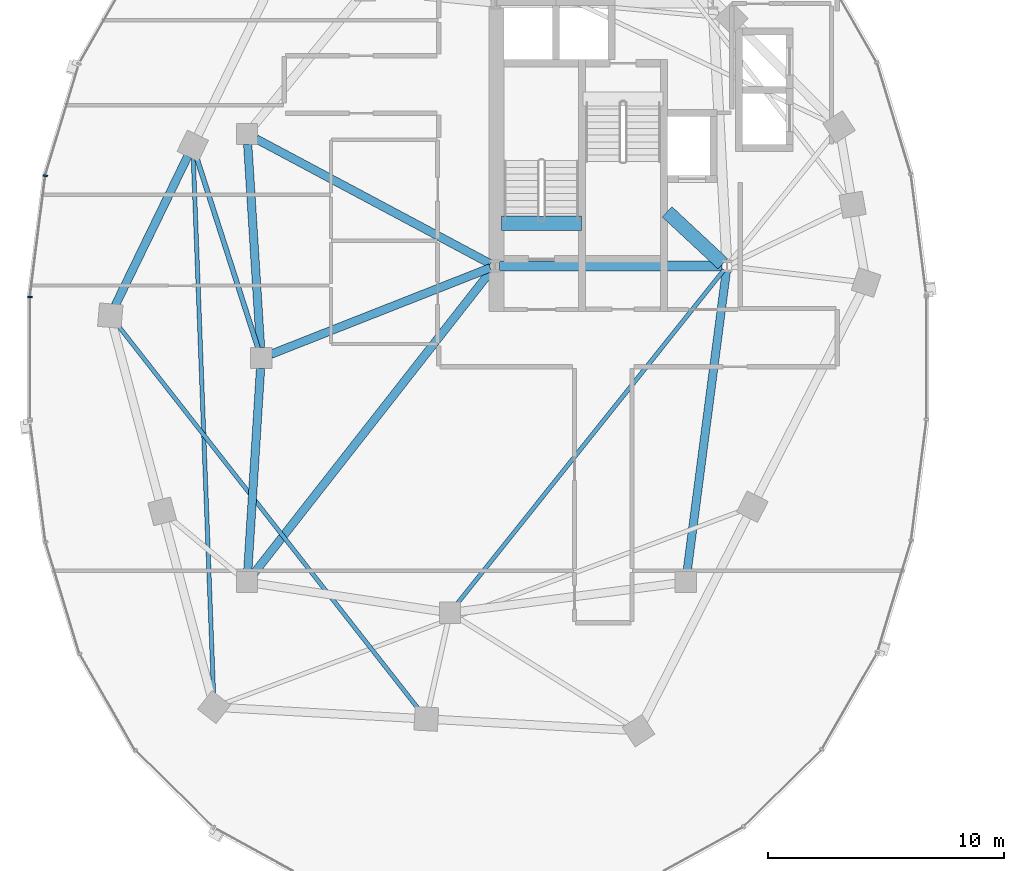
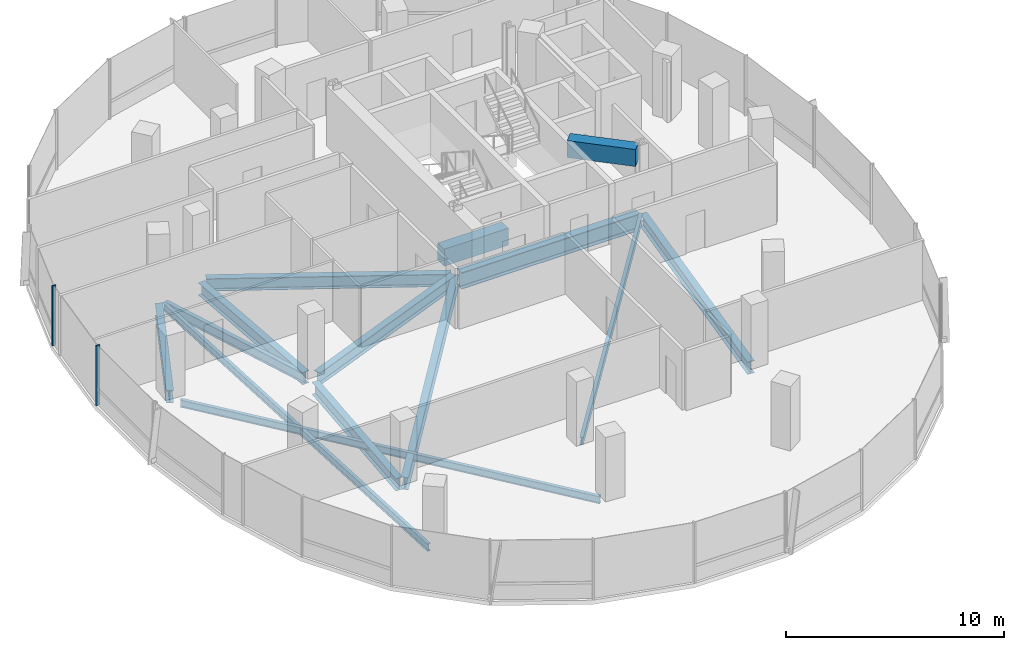
# One storey, part 3 of 22: 14 beams, 2 members, 1 element without a shape of its own.
"""IFC4 building model written with IfcOpenShell, lengths in metres."""

from ifc_helpers import new_model, si_unit, direction, frame, origin, origin_2d, place, context, subcontext, project, spatial, rectangle, i_section, extrude, material, material_profile, profile_set, type_object, element, aggregate, save


model = new_model("IFC4")

# Units and contexts
model_context = context("Model", 3, precision=1e-05, world=origin(), true_north=direction((0.0, 1.0)))
body_context = subcontext(model_context, "Body", "Model", "MODEL_VIEW")
ifc_project = project(units=[si_unit("LENGTHUNIT", "METRE"), si_unit("AREAUNIT", "SQUARE_METRE"), si_unit("VOLUMEUNIT", "CUBIC_METRE"), si_unit("PLANEANGLEUNIT", "RADIAN"), si_unit("MASSUNIT", "GRAM", prefix="KILO"), si_unit("THERMODYNAMICTEMPERATUREUNIT", "KELVIN"), si_unit("POWERUNIT", "WATT")], contexts=[model_context])

# Site, building, storey
site_placement = place(None, origin())
site = spatial("IfcSite", under=ifc_project, at=site_placement, CompositionType="ELEMENT")
building_placement = place(site_placement, origin())
building = spatial("IfcBuilding", under=site, at=building_placement, Name="Cundina Bronze Exchange", CompositionType="ELEMENT")
storey_placement = place(building_placement, frame((0.0, 0.0, 147.60009765625)))
storey = spatial("IfcBuildingStorey", under=building, at=storey_placement, Name="L38", CompositionType="ELEMENT", Elevation=147.60009765625)

# Beams
ifc_material_1 = material(Name="Concrete C60/75", Category="concrete")
ifc_material_profile_1 = material_profile(ifc_material_1, rectangle(XDim=0.60009765625, YDim=0.949951171875, at=origin_2d()), Name="RC600X950", Category="concrete")
ifc_profile_set_1 = profile_set([ifc_material_profile_1], Name="Concrete C60/75")
beam_type_1 = type_object("IfcBeamType", Name="BM-COUP-RC950", PredefinedType="LINTEL", material=ifc_profile_set_1)
beam_1_placement = place(storey_placement, frame((-31.02001953125, 5.719970703125, -0.47509765625), z_axis=(1.0, 0.0, 0.0), x_axis=(0.0, 1.0, 0.0)))
element("IfcBeam", 1, at=beam_1_placement, inside=storey, type_object=beam_type_1, Name="L38 Stair W1 Landing Header Beam", PredefinedType="LINTEL", context=body_context, shape_type="SweptSolid", body=[
    extrude(rectangle(XDim=0.60009765625, YDim=0.949951171875, at=origin_2d()), origin(), (0.0, 0.0, 1.0), 3.39990234375),
])
beam_2_placement = place(storey_placement, frame((-23.989990234375, 6.199951171875, 2.885009765625), z_axis=(0.731490439815, -0.681851696822, 0.0), x_axis=(0.681851696822, 0.731490439815, 0.0)))
element("IfcBeam", 2, at=beam_2_placement, inside=storey, type_object=beam_type_1, Name="L38 W Core Shear Coupling Lintel Beam", PredefinedType="LINTEL", context=body_context, shape_type="SweptSolid", body=[
    extrude(rectangle(XDim=0.60009765625, YDim=0.949951171875, at=origin_2d()), origin(), (0.0, 0.0, 1.0), 3.226318359375),
])
ifc_material_2 = material(Name="Steel ASTM A992 Grade 50", Category="steel")
ifc_material_profile_2 = material_profile(ifc_material_2, i_section(OverallWidth=0.2119140625, OverallDepth=0.5439453125, WebThickness=0.01318359375, FlangeThickness=0.021240234375, FilletRadius=0.013916015625, at=origin_2d()), Name="W21X83", Category="steel")
ifc_profile_set_2 = profile_set([ifc_material_profile_2], Name="Steel ASTM A992 Grade 50")
beam_type_2 = type_object("IfcBeamType", Name="BM-FLR-W21A", PredefinedType="BEAM", material=ifc_profile_set_2)
beam_3_placement = place(storey_placement, frame((-41.334228515625, 0.4169921875, -0.51220703125), z_axis=(-0.30669751302, 0.951807036908, 0.0), x_axis=(-0.951807036908, -0.30669751302, 0.0)))
element("IfcBeam", 3, at=beam_3_placement, inside=storey, type_object=beam_type_2, Name="L38 Leg W Radial Floor Beam 07", PredefinedType="BEAM", context=body_context, shape_type="SweptSolid", body=[
    extrude(i_section(OverallWidth=0.2119140625, OverallDepth=0.5439453125, WebThickness=0.01318359375, FlangeThickness=0.021240234375, FilletRadius=0.013916015625, at=origin_2d()), origin(), (0.0, 0.0, 1.0), 8.529541015625),
])
ifc_material_profile_3 = material_profile(ifc_material_2, i_section(OverallWidth=0.178955078125, OverallDepth=0.409912109375, WebThickness=0.0087890625, FlangeThickness=0.014404296875, FilletRadius=0.010986328125, at=origin_2d()), Name="W16X45", Category="steel")
ifc_profile_set_3 = profile_set([ifc_material_profile_3], Name="Steel ASTM A992 Grade 50")
beam_type_3 = type_object("IfcBeamType", Name="BM-JST-W16", PredefinedType="JOIST", material=ifc_profile_set_3)
beam_4_placement = place(storey_placement, frame((-21.577392578125, 3.740478515625, -0.445068359375), z_axis=(-0.624370675223, -0.781128196854, 0.0), x_axis=(0.781128196854, -0.624370675223, 0.0)))
element("IfcBeam", 4, at=beam_4_placement, inside=storey, type_object=beam_type_3, Name="L38 W Interior Core-to-Ring Joist 2", PredefinedType="JOIST", context=body_context, shape_type="SweptSolid", body=[
    extrude(i_section(OverallWidth=0.178955078125, OverallDepth=0.409912109375, WebThickness=0.0087890625, FlangeThickness=0.014404296875, FilletRadius=0.010986328125, at=origin_2d()), origin(), (0.0, 0.0, 1.0), 18.177001953125),
])
beam_5_placement = place(storey_placement, frame((-44.08154296875, 8.51220703125, -0.445068359375), z_axis=(0.037784933381, -0.999285894431, 0.0), x_axis=(0.999285894431, 0.037784933381, 0.0)))
element("IfcBeam", 5, at=beam_5_placement, inside=storey, type_object=beam_type_3, Name="L38 Leg W Lobe Floor Joist 07-10", PredefinedType="JOIST", context=body_context, shape_type="SweptSolid", body=[
    extrude(i_section(OverallWidth=0.178955078125, OverallDepth=0.409912109375, WebThickness=0.0087890625, FlangeThickness=0.014404296875, FilletRadius=0.010986328125, at=origin_2d()), origin(), (0.0, 0.0, 1.0), 22.8408203125),
])
beam_6_placement = place(storey_placement, frame((-47.299072265625, 1.416015625, -0.445068359375), z_axis=(0.616801484103, -0.787118751656, 0.0), x_axis=(0.787118751656, 0.616801484103, 0.0)))
element("IfcBeam", 6, at=beam_6_placement, inside=storey, type_object=beam_type_3, Name="L38 Leg W Lobe Floor Joist 08-11", PredefinedType="JOIST", context=body_context, shape_type="SweptSolid", body=[
    extrude(i_section(OverallWidth=0.178955078125, OverallDepth=0.409912109375, WebThickness=0.0087890625, FlangeThickness=0.014404296875, FilletRadius=0.010986328125, at=origin_2d()), origin(), (0.0, 0.0, 1.0), 20.7490234375),
])
ifc_material_profile_4 = material_profile(ifc_material_2, i_section(OverallWidth=0.35498046875, OverallDepth=0.695068359375, WebThickness=0.015380859375, FlangeThickness=0.02490234375, FilletRadius=0.01806640625, at=origin_2d()), Name="W27X146", Category="steel")
ifc_profile_set_4 = profile_set([ifc_material_profile_4], Name="Steel ASTM A992 Grade 50")
beam_type_4 = type_object("IfcBeamType", Name="BM-RING-W27", PredefinedType="USERDEFINED", material=ifc_profile_set_4)
for number, where, z_axis, x_axis, name in (
    (7, (-41.7724609375, 9.06298828125, -0.587646484375), (0.063046519736, -0.998010589297, 0.0), (0.998010589297, 0.063046519736, 0.0), "L38 W Inner Structural Ring Girder 03"),
    (8, (-41.2275390625, -0.43701171875, -0.587646484375), (-0.063046519736, -0.998010589297, 0.0), (0.998010589297, -0.063046519736, 0.0), "L38 W Inner Structural Ring Girder 04"),
):
    element("IfcBeam", number, at=place(storey_placement, frame(where, z_axis=z_axis, x_axis=x_axis)), inside=storey, type_object=beam_type_4, Name=name, ObjectType="GIRDER", PredefinedType="USERDEFINED", context=body_context, shape_type="SweptSolid", body=[
        extrude(i_section(OverallWidth=0.35498046875, OverallDepth=0.695068359375, WebThickness=0.015380859375, FlangeThickness=0.02490234375, FilletRadius=0.01806640625, at=origin_2d()), origin(), (0.0, 0.0, 1.0), 8.64306640625),
    ])
beam_7_placement = place(storey_placement, frame((-23.143310546875, -9.065673828125, -0.587646484375), z_axis=(0.129507030047, 0.991578503785, 0.0), x_axis=(-0.991578503785, 0.129507030047, 0.0)))
element("IfcBeam", 9, at=beam_7_placement, inside=storey, type_object=beam_type_4, Name="L38 W Inner Structural Ring Girder 07", ObjectType="GIRDER", PredefinedType="USERDEFINED", context=body_context, shape_type="SweptSolid", body=[
    extrude(i_section(OverallWidth=0.35498046875, OverallDepth=0.695068359375, WebThickness=0.015380859375, FlangeThickness=0.02490234375, FilletRadius=0.01806640625, at=origin_2d()), origin(), (0.0, 0.0, 1.0), 12.871826171875),
])
beam_8_placement = place(storey_placement, frame((-31.48974609375, 3.8251953125, -0.587646484375), z_axis=(-0.930405617189, -0.36653156413, 0.0), x_axis=(0.36653156413, -0.930405617189, 0.0)))
element("IfcBeam", 10, at=beam_8_placement, inside=storey, type_object=beam_type_4, Name="L38 W Core-to-Waist Tie Beam 1", ObjectType="GIRDER", PredefinedType="USERDEFINED", context=body_context, shape_type="SweptSolid", body=[
    extrude(i_section(OverallWidth=0.35498046875, OverallDepth=0.695068359375, WebThickness=0.015380859375, FlangeThickness=0.02490234375, FilletRadius=0.01806640625, at=origin_2d()), origin(), (0.0, 0.0, 1.0), 9.99853515625),
])
beam_9_placement = place(storey_placement, frame((-31.47998046875, 3.99609375, -0.587646484375), z_axis=(-0.88235534237, 0.470583733028, 0.0), x_axis=(-0.470583733028, -0.88235534237, 0.0)))
element("IfcBeam", 11, at=beam_9_placement, inside=storey, type_object=beam_type_4, Name="L38 W Core-to-Waist Tie Beam 2", ObjectType="GIRDER", PredefinedType="USERDEFINED", context=body_context, shape_type="SweptSolid", body=[
    extrude(i_section(OverallWidth=0.35498046875, OverallDepth=0.695068359375, WebThickness=0.015380859375, FlangeThickness=0.02490234375, FilletRadius=0.01806640625, at=origin_2d()), origin(), (0.0, 0.0, 1.0), 11.258056640625),
])
beam_10_placement = place(storey_placement, frame((-31.42578125, 3.739501953125, -0.587646484375), z_axis=(-0.616779109924, -0.787136283982, 0.0), x_axis=(0.787136283982, -0.616779109924, 0.0)))
element("IfcBeam", 12, at=beam_10_placement, inside=storey, type_object=beam_type_4, Name="L38 W Core-to-Waist Tie Beam 3", ObjectType="GIRDER", PredefinedType="USERDEFINED", context=body_context, shape_type="SweptSolid", body=[
    extrude(i_section(OverallWidth=0.35498046875, OverallDepth=0.695068359375, WebThickness=0.015380859375, FlangeThickness=0.02490234375, FilletRadius=0.01806640625, at=origin_2d()), origin(), (0.0, 0.0, 1.0), 16.3818359375),
])
beam_11_placement = place(storey_placement, frame((-44.3134765625, 8.56103515625, -0.587646484375), z_axis=(-0.437196998825, -0.89936576776, 0.0), x_axis=(0.89936576776, -0.437196998825, 0.0)))
element("IfcBeam", 13, at=beam_11_placement, inside=storey, type_object=beam_type_4, Name="L38 W Perimeter Ring Girder 07", ObjectType="GIRDER", PredefinedType="USERDEFINED", context=body_context, shape_type="SweptSolid", body=[
    extrude(i_section(OverallWidth=0.35498046875, OverallDepth=0.695068359375, WebThickness=0.015380859375, FlangeThickness=0.02490234375, FilletRadius=0.01806640625, at=origin_2d()), origin(), (0.0, 0.0, 1.0), 7.029541015625),
])
ifc_material_profile_5 = material_profile(ifc_material_2, i_section(OverallWidth=0.41796875, OverallDepth=0.927001953125, WebThickness=0.019287109375, FlangeThickness=0.031982421875, FilletRadius=0.02392578125, at=origin_2d()), Name="W36X231", Category="steel")
ifc_profile_set_5 = profile_set([ifc_material_profile_5], Name="Steel ASTM A992 Grade 50")
beam_type_5 = type_object("IfcBeamType", Name="BM-WRN-W36B", PredefinedType="USERDEFINED", material=ifc_profile_set_5)
beam_12_placement = place(storey_placement, frame((-31.095947265625, 3.89990234375, -0.70361328125), z_axis=(1.0, 0.0, 0.0), x_axis=(0.0, 1.0, 0.0)))
element("IfcBeam", 14, at=beam_12_placement, inside=storey, type_object=beam_type_5, Name="L38 W Core Perimeter Tie Girder 1", ObjectType="GIRDER", PredefinedType="USERDEFINED", context=body_context, shape_type="SweptSolid", body=[
    extrude(i_section(OverallWidth=0.41796875, OverallDepth=0.927001953125, WebThickness=0.019287109375, FlangeThickness=0.031982421875, FilletRadius=0.02392578125, at=origin_2d()), origin(), (0.0, 0.0, 1.0), 9.44189453125),
])

# Curtain wall, members
ifc_material_3 = material(Name="Anodised Bronze Aluminium 6063-T6", Category="aluminium")
curtain_wall_type = type_object("IfcCurtainWallType", Name="CWS-WST-PIN", PredefinedType="NOTDEFINED", material=ifc_material_3)
curtain_wall_placement = place(storey_placement, origin())
curtain_wall = element("IfcCurtainWall", 15, at=curtain_wall_placement, inside=storey, type_object=curtain_wall_type, Name="L38 CW-04 Curtain Wall Run CWR-L38-W2", PredefinedType="NOTDEFINED")
ifc_material_profile_6 = material_profile(ifc_material_3, rectangle(XDim=0.070068359375, YDim=0.18994140625, at=origin_2d()), Name="AL70X190", Category="aluminium")
ifc_profile_set_6 = profile_set([ifc_material_profile_6], Name="Anodised Bronze Aluminium 6063-T6")
member_type = type_object("IfcMemberType", Name="CWM-MUL-190", PredefinedType="MULLION", material=ifc_profile_set_6)
member_1_placement = place(storey_placement, frame((-50.357177734375, 7.731689453125, 0.0), z_axis=(0.0, 0.0, 1.0), x_axis=(-0.126545236492, -0.991960837494, 0.0)))
member_1 = element("IfcMember", 16, at=member_1_placement, type_object=member_type, Name="CW-04 Mullion 6", PredefinedType="MULLION", context=body_context, shape_type="SweptSolid", body=[
    extrude(rectangle(XDim=0.070068359375, YDim=0.18994140625, at=origin_2d()), origin(), (0.0, 0.0, 1.0), 3.35986328125),
])
member_2_placement = place(storey_placement, frame((-51.007080078125, 2.593017578125, 0.0), z_axis=(0.0, 0.0, 1.0), x_axis=(0.0, -1.0, 0.0)))
member_2 = element("IfcMember", 17, at=member_2_placement, type_object=member_type, Name="CW-04 Mullion 7", PredefinedType="MULLION", context=body_context, shape_type="SweptSolid", body=[
    extrude(rectangle(XDim=0.070068359375, YDim=0.18994140625, at=origin_2d()), origin(), (0.0, 0.0, 1.0), 3.35986328125),
])
aggregate(curtain_wall, [member_1, member_2])

save(model, "model.ifc")
